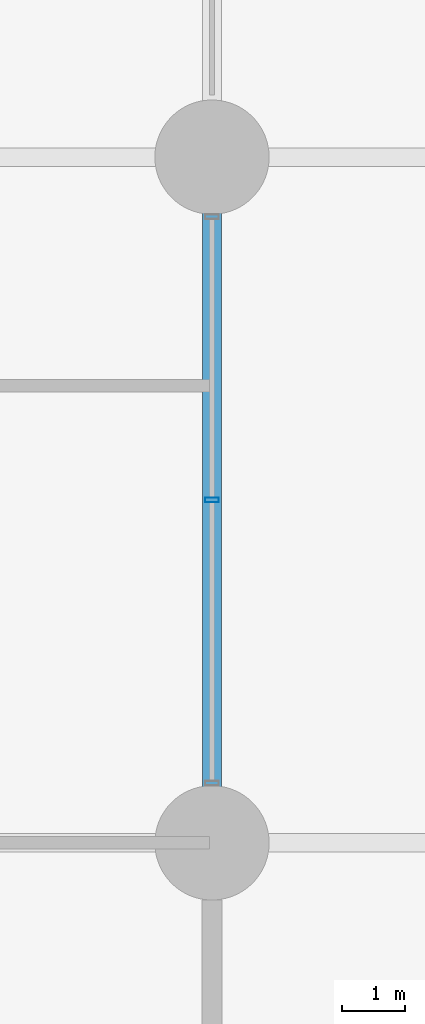
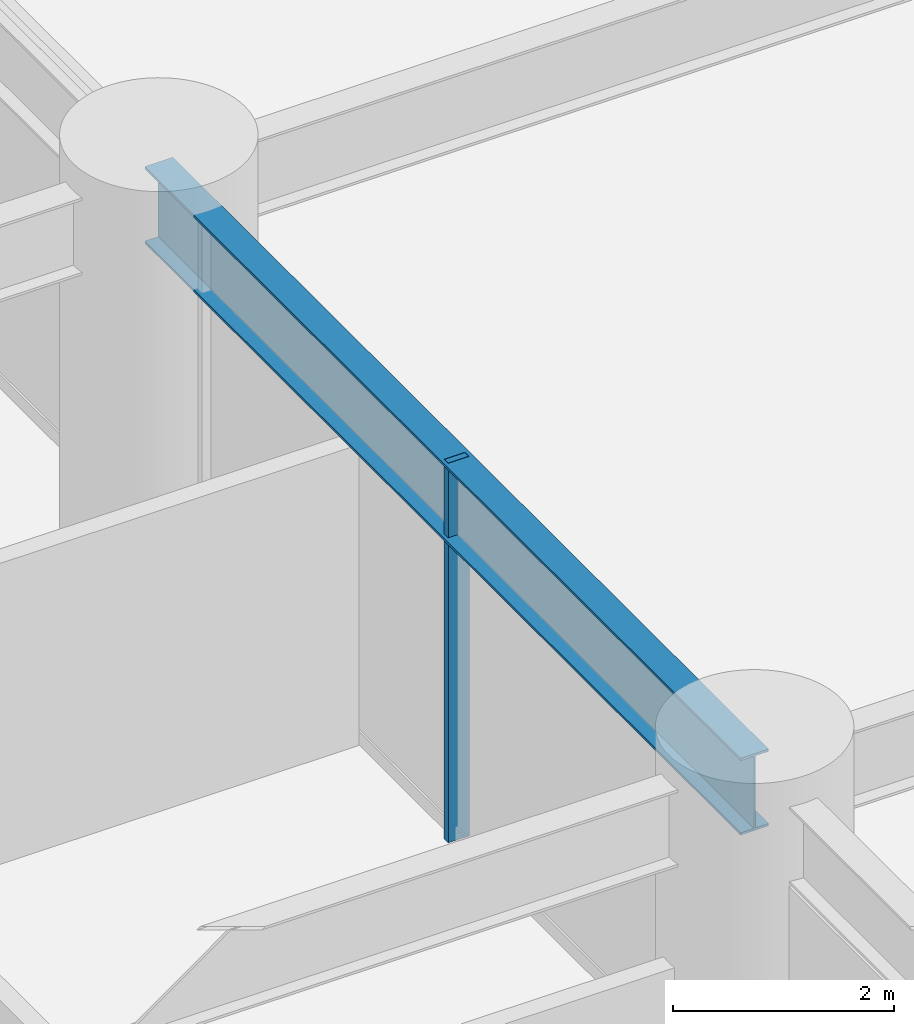
# One storey, part 12 of 29: 1 beam, 1 member, 1 element without a shape of its own.
"""IFC4 building model written with IfcOpenShell, lengths in metres."""

from ifc_helpers import new_model, si_unit, direction, frame, origin, origin_2d, place, context, subcontext, project, spatial, hollow_rectangle, i_section, extrude, material, layer, layer_set, material_profile, profile_set, type_object, element, aggregate, save


model = new_model("IFC4")

# Units and contexts
model_context = context("Model", 3, precision=1e-05, world=origin(), true_north=direction((0.0, 1.0)))
body_context = subcontext(model_context, "Body", "Model", "MODEL_VIEW")
ifc_project = project(units=[si_unit("LENGTHUNIT", "METRE"), si_unit("AREAUNIT", "SQUARE_METRE"), si_unit("VOLUMEUNIT", "CUBIC_METRE"), si_unit("PLANEANGLEUNIT", "RADIAN"), si_unit("MASSUNIT", "GRAM", prefix="KILO")], contexts=[model_context])

# Site, building, storey
site_placement = place(None, origin())
site = spatial("IfcSite", under=ifc_project, at=site_placement, CompositionType="ELEMENT")
building_placement = place(site_placement, origin())
building = spatial("IfcBuilding", under=site, at=building_placement, Name="Surkhivell Harbour Commons", CompositionType="ELEMENT")
storey_placement = place(building_placement, origin())
storey = spatial("IfcBuildingStorey", under=building, at=storey_placement, Name="L00", CompositionType="ELEMENT", Elevation=0.0)

# Beam
ifc_material_1 = material(Name="Steel S460", Category="steel")
ifc_material_profile_1 = material_profile(ifc_material_1, i_section(OverallWidth=0.2939453125, OverallDepth=0.85107421875, WebThickness=0.01611328125, FlangeThickness=0.02685546875, at=origin_2d()), Name="UB838x292x226")
ifc_profile_set_1 = profile_set([ifc_material_profile_1], Name="Steel S460")
beam_type = type_object("IfcBeamType", Name="BM-SPN-838", PredefinedType="SPANDREL", material=ifc_profile_set_1)
beam_placement = place(storey_placement, frame((21.60009765625, 0.0, 3.7744140625), z_axis=(0.0, 1.0, 0.0), x_axis=(-1.0, 0.0, 0.0)))
element("IfcBeam", 1, at=beam_placement, inside=storey, type_object=beam_type, Name="L00 Framing Beam (21.6,0.0)", PredefinedType="SPANDREL", context=body_context, shape_type="SweptSolid", body=[
    extrude(i_section(OverallWidth=0.2939453125, OverallDepth=0.85107421875, WebThickness=0.01611328125, FlangeThickness=0.02685546875, at=origin_2d()), origin(), (0.0, 0.0, 1.0), 10.800048828125),
])

# Curtain wall, member
ifc_material_2 = material(Name="Anodised pale-metal aluminium and insulated glazing", Category="aluminium")
ifc_layer = layer(ifc_material_2, 0.239990234375)
ifc_layer_set = layer_set([ifc_layer], Name="Anodised pale-metal aluminium and insulated glazing")
curtain_wall_type = type_object("IfcCurtainWallType", Name="CW-SYS-POD", PredefinedType="NOTDEFINED", material=ifc_layer_set)
curtain_wall_placement = place(storey_placement, origin())
curtain_wall = element("IfcCurtainWall", 2, at=curtain_wall_placement, inside=storey, type_object=curtain_wall_type, Name="L00 Curtain Wall CW-L00-P06", PredefinedType="NOTDEFINED")
ifc_material_3 = material(Name="Anodised pale-metal aluminium alloy 6063-T6", Category="aluminium")
ifc_material_profile_2 = material_profile(ifc_material_3, hollow_rectangle(XDim=0.074951171875, YDim=0.219970703125, WallThickness=0.00390625, at=origin_2d()), Name="ALU-MULL-75x220")
ifc_profile_set_2 = profile_set([ifc_material_profile_2], Name="Anodised pale-metal aluminium alloy 6063-T6")
member_type = type_object("IfcMemberType", Name="CWM-220", PredefinedType="MULLION", material=ifc_profile_set_2)
member_placement = place(storey_placement, frame((21.60009765625, 5.39990234375, 0.0), z_axis=(0.0, 0.0, 1.0), x_axis=(0.0, -1.0, 0.0)))
member = element("IfcMember", 3, at=member_placement, type_object=member_type, Name="CW-POD mullion 3", PredefinedType="MULLION", context=body_context, shape_type="SweptSolid", body=[
    extrude(hollow_rectangle(XDim=0.074951171875, YDim=0.219970703125, WallThickness=0.00390625, at=origin_2d()), origin(), (0.0, 0.0, 1.0), 4.199951171875),
])
aggregate(curtain_wall, [member])

save(model, "model.ifc")
